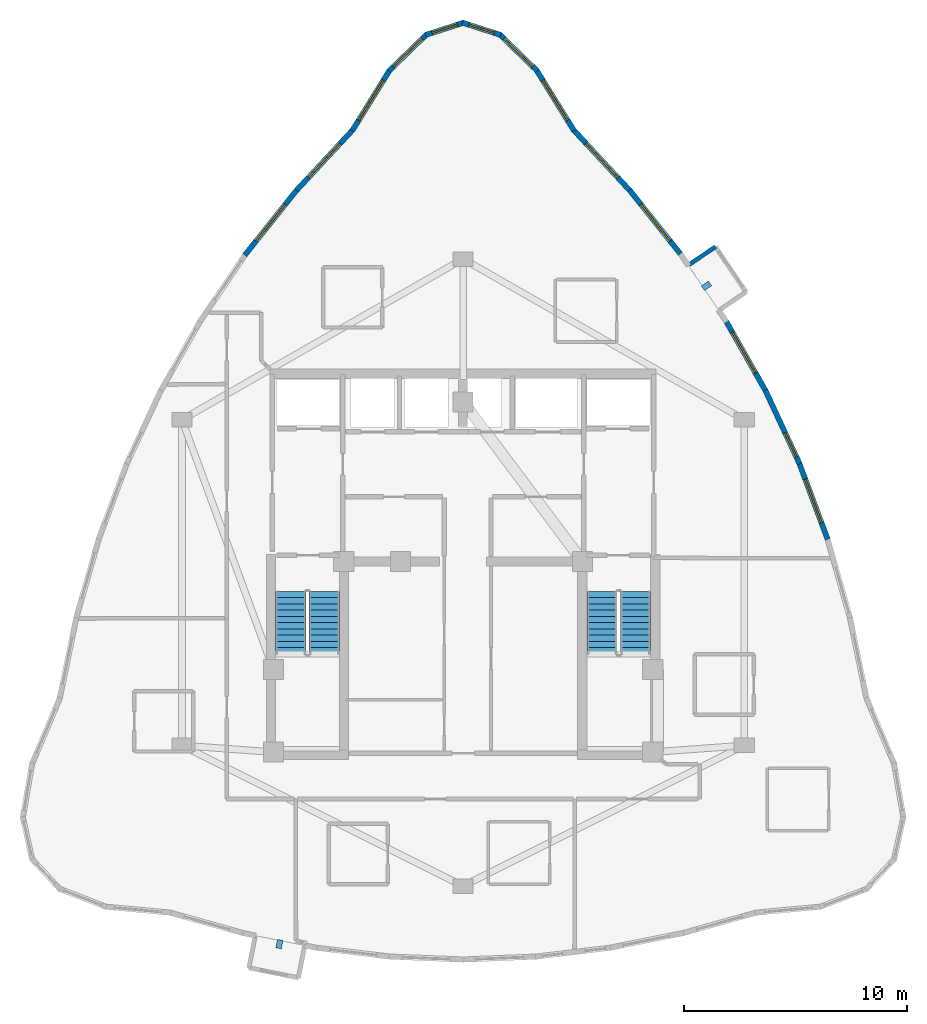
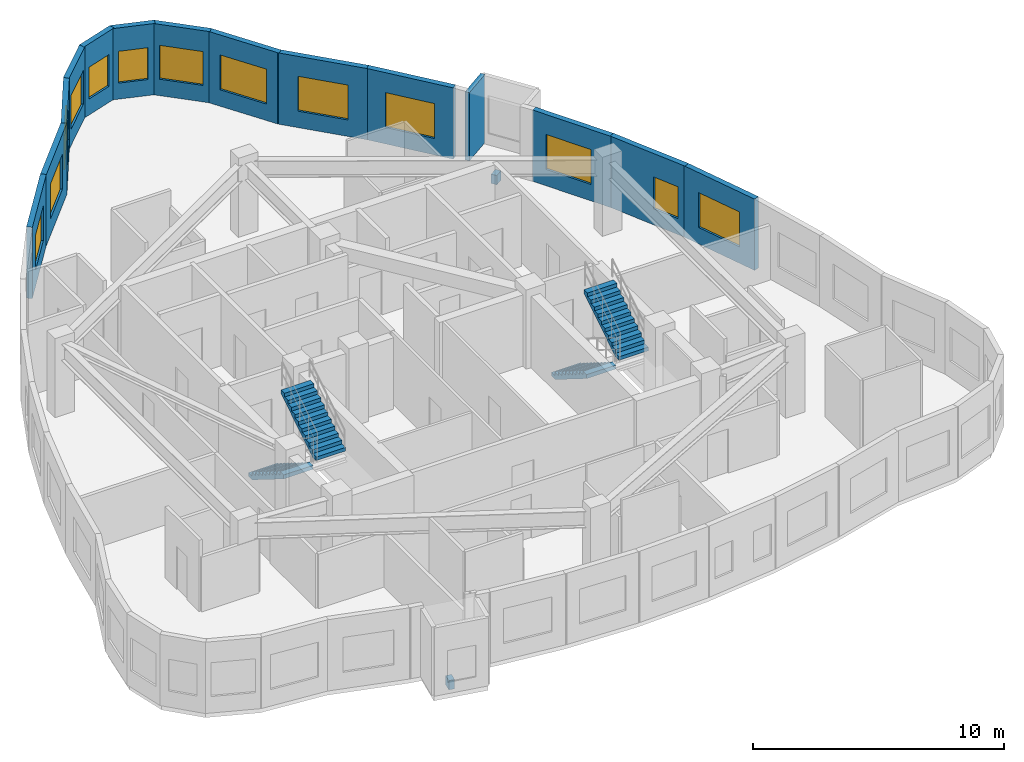
# One storey, part 9 of 10: 14 walls, 13 windows, 4 stair flights, 2 discrete accessories, 13 openings, 2 elements without a shape of their own.
"""IFC4 building model written with IfcOpenShell, lengths in metres."""

from ifc_helpers import new_model, si_unit, direction, frame, frame_2d, origin, origin_2d, place, context, subcontext, project, spatial, polyline, rectangle, outline, extrude, material, layer, layer_set, type_object, element, fill, aggregate, save


model = new_model("IFC4")

# Units and contexts
model_context = context("Model", 3, precision=1e-05, world=origin(), true_north=direction((0.0, 1.0)))
body_context = subcontext(model_context, "Body", "Model", "MODEL_VIEW")
ifc_project = project(units=[si_unit("LENGTHUNIT", "METRE"), si_unit("AREAUNIT", "SQUARE_METRE"), si_unit("VOLUMEUNIT", "CUBIC_METRE"), si_unit("PLANEANGLEUNIT", "RADIAN"), si_unit("MASSUNIT", "GRAM", prefix="KILO")], contexts=[model_context])

# Site, building, storey
site_placement = place(None, origin())
site = spatial("IfcSite", under=ifc_project, at=site_placement, CompositionType="ELEMENT")
building_placement = place(site_placement, origin())
building = spatial("IfcBuilding", under=site, at=building_placement, Name="Miruveldt Soraemaru", CompositionType="ELEMENT")
storey_placement = place(building_placement, frame((0.0, 0.0, 278.949951171875)))
storey = spatial("IfcBuildingStorey", under=building, at=storey_placement, Name="L76", CompositionType="ELEMENT", Elevation=278.949951171875)

# Wall
ifc_material_1 = material(Name="White powder-coated aluminium EN AW-6060 T6", Category="aluminium")
ifc_layer_1 = layer(ifc_material_1, 0.18994140625, Name="White powder-coated aluminium EN AW-6060 T6", Category="aluminium")
ifc_layer_set_1 = layer_set([ifc_layer_1], Name="White powder-coated aluminium EN AW-6060 T6")
wall_type_1 = type_object("IfcWallType", Name="WALL-BAY-ALU190", PredefinedType="SOLIDWALL", material=ifc_layer_set_1)
wall_1_placement = place(storey_placement, frame((55.3134765625, 58.1533203125, 0.0), z_axis=(0.0, 0.0, 1.0), x_axis=(-0.82794178844, -0.560814046681, 0.0)))
element("IfcWall", 1, at=wall_1_placement, inside=storey, type_object=wall_type_1, Name="L76 Bay Window Side Cheek 2R", PredefinedType="SOLIDWALL", context=body_context, shape_type="SweptSolid", body=[
    extrude(rectangle(XDim=1.4248046875, YDim=0.18994140625, at=frame_2d((0.71240234375, 0.0))), origin(), (0.0, 0.0, 1.0), 3.320068359375),
])

# Wall, opening, window
ifc_material_2 = material(Name="Precast concrete C45/55 (45 MPa)", Category="concrete")
ifc_layer_2 = layer(ifc_material_2, 0.239990234375, Name="Precast concrete C45/55 (45 MPa)", Category="concrete")
ifc_layer_set_2 = layer_set([ifc_layer_2], Name="Precast concrete C45/55 (45 MPa)")
wall_type_2 = type_object("IfcWallType", Name="WALL-EXT-PC240", PredefinedType="SOLIDWALL", material=ifc_layer_set_2)
wall_2_placement = place(storey_placement, frame((48.973388671875, 63.349853515625, 0.0), z_axis=(0.0, 0.0, 1.0), x_axis=(-0.526048210696, 0.850454748957, 0.0)))
wall_2 = element("IfcWall", 2, at=wall_2_placement, inside=storey, type_object=wall_type_2, Name="L76 Precast Concrete Facade Wall 1", PredefinedType="SOLIDWALL", context=body_context, shape_type="SweptSolid", body=[
    extrude(rectangle(XDim=3.209716796875, YDim=0.239990234375, at=frame_2d((1.60498046875, 0.0))), origin(), (0.0, 0.0, 1.0), 3.469970703125),
])
opening_1_placement = place(wall_2_placement, frame((0.554931640625, 0.0, 0.800048828125)))
opening_1 = element("IfcOpeningElement", 3, at=opening_1_placement, cuts=wall_2, Name="Opening WN-1", PredefinedType="OPENING", context=body_context, shape_type="SweptSolid", body=[
    extrude(rectangle(XDim=2.10009765625, YDim=1.699951171875, at=frame_2d((1.050048828125, 0.85009765625))), frame((0.0, 0.1298828125, 0.0), z_axis=(0.0, -1.0, 0.0), x_axis=(1.0, 0.0, 0.0)), (0.0, 0.0, 1.0), 0.260009765625),
])
ifc_material_3 = material(Name="Triple low-e insulated glazing", Category="glass")
window_type_1 = type_object("IfcWindowType", Name="WIN-PUNCH-2100x1700", PartitioningType="SINGLE_PANEL", PredefinedType="WINDOW", material=ifc_material_3)
window_1_placement = place(opening_1_placement, origin())
window_1 = element("IfcWindow", 4, at=window_1_placement, inside=storey, type_object=window_type_1, Name="L76 Punched Triple-Glazed Window 01.1", OverallHeight=1.699951171875, OverallWidth=2.10009765625, PartitioningType="SINGLE_PANEL", PredefinedType="WINDOW", context=body_context, shape_type="SweptSolid", body=[
    extrude(rectangle(XDim=2.10009765625, YDim=1.699951171875, at=frame_2d((1.050048828125, 0.85009765625))), frame((0.0, 0.030029296875, 0.0), z_axis=(0.0, -1.0, 0.0), x_axis=(1.0, 0.0, 0.0)), (0.0, 0.0, 1.0), 0.06005859375),
])
fill(opening_1, window_1)

wall_3_placement = place(storey_placement, frame((47.32861328125, 66.025390625, 0.0), z_axis=(0.0, 0.0, 1.0), x_axis=(-0.71778499005, 0.696264826096, 0.0)))
wall_3 = element("IfcWall", 5, at=wall_3_placement, inside=storey, type_object=wall_type_2, Name="L76 Precast Concrete Facade Wall 2", PredefinedType="SOLIDWALL", context=body_context, shape_type="SweptSolid", body=[
    extrude(rectangle(XDim=2.37109375, YDim=0.239990234375, at=frame_2d((1.185546875, 0.0))), origin(), (0.0, 0.0, 1.0), 3.469970703125),
])
opening_2_placement = place(wall_3_placement, frame((0.284912109375, 0.0, 0.800048828125)))
opening_2 = element("IfcOpeningElement", 6, at=opening_2_placement, cuts=wall_3, Name="Opening WN-2", PredefinedType="OPENING", context=body_context, shape_type="SweptSolid", body=[
    extrude(rectangle(XDim=1.800048828125, YDim=1.64990234375, at=frame_2d((0.89990234375, 0.824951171875))), frame((0.0, 0.1298828125, 0.0), z_axis=(0.0, -1.0, 0.0), x_axis=(1.0, 0.0, 0.0)), (0.0, 0.0, 1.0), 0.260009765625),
])
window_type_2 = type_object("IfcWindowType", Name="WIN-PUNCH-1800x1650", PartitioningType="SINGLE_PANEL", PredefinedType="WINDOW", material=ifc_material_3)
window_2_placement = place(opening_2_placement, origin())
window_2 = element("IfcWindow", 7, at=window_2_placement, inside=storey, type_object=window_type_2, Name="L76 Punched Triple-Glazed Window 02.1", OverallHeight=1.64990234375, OverallWidth=1.800048828125, PartitioningType="SINGLE_PANEL", PredefinedType="WINDOW", context=body_context, shape_type="SweptSolid", body=[
    extrude(rectangle(XDim=1.800048828125, YDim=1.64990234375, at=frame_2d((0.89990234375, 0.824951171875))), frame((0.0, 0.030029296875, 0.0), z_axis=(0.0, -1.0, 0.0), x_axis=(1.0, 0.0, 0.0)), (0.0, 0.0, 1.0), 0.06005859375),
])
fill(opening_2, window_2)

wall_4_placement = place(storey_placement, frame((45.68505859375, 67.64111328125, 0.0), z_axis=(0.0, 0.0, 1.0), x_axis=(-0.951523679018, 0.307575500109, 0.0)))
wall_4 = element("IfcWall", 8, at=wall_4_placement, inside=storey, type_object=wall_type_2, Name="L76 Precast Concrete Facade Wall 3", PredefinedType="SOLIDWALL", context=body_context, shape_type="SweptSolid", body=[
    extrude(rectangle(XDim=1.805908203125, YDim=0.239990234375, at=frame_2d((0.90283203125, 0.0))), origin(), (0.0, 0.0, 1.0), 3.469970703125),
])
opening_3_placement = place(wall_4_placement, frame((0.302978515625, 0.0, 0.780029296875)))
opening_3 = element("IfcOpeningElement", 9, at=opening_3_placement, cuts=wall_4, Name="Opening WN-4", PredefinedType="OPENING", context=body_context, shape_type="SweptSolid", body=[
    extrude(rectangle(XDim=1.199951171875, YDim=1.550048828125, at=frame_2d((0.60009765625, 0.77490234375))), frame((0.0, 0.1298828125, 0.0), z_axis=(0.0, -1.0, 0.0), x_axis=(1.0, 0.0, 0.0)), (0.0, 0.0, 1.0), 0.260009765625),
])
window_type_3 = type_object("IfcWindowType", Name="WIN-PUNCH-1200x1550", PartitioningType="SINGLE_PANEL", PredefinedType="WINDOW", material=ifc_material_3)
window_3_placement = place(opening_3_placement, origin())
window_3 = element("IfcWindow", 10, at=window_3_placement, inside=storey, type_object=window_type_3, Name="L76 Punched Triple-Glazed Window 03.1", OverallHeight=1.550048828125, OverallWidth=1.199951171875, PartitioningType="SINGLE_PANEL", PredefinedType="WINDOW", context=body_context, shape_type="SweptSolid", body=[
    extrude(rectangle(XDim=1.199951171875, YDim=1.550048828125, at=frame_2d((0.60009765625, 0.77490234375))), frame((0.0, 0.030029296875, 0.0), z_axis=(0.0, -1.0, 0.0), x_axis=(1.0, 0.0, 0.0)), (0.0, 0.0, 1.0), 0.06005859375),
])
fill(opening_3, window_3)

wall_5_placement = place(storey_placement, frame((44.033203125, 68.196533203125, 0.0), z_axis=(0.0, 0.0, 1.0), x_axis=(-0.951523679018, -0.307575500109, 0.0)))
wall_5 = element("IfcWall", 11, at=wall_5_placement, inside=storey, type_object=wall_type_2, Name="L76 Precast Concrete Facade Wall 4", PredefinedType="SOLIDWALL", context=body_context, shape_type="SweptSolid", body=[
    extrude(rectangle(XDim=1.805908203125, YDim=0.239990234375, at=frame_2d((0.90283203125, 0.0))), origin(), (0.0, 0.0, 1.0), 3.469970703125),
])
opening_4_placement = place(wall_5_placement, frame((0.302978515625, 0.0, 0.780029296875)))
opening_4 = element("IfcOpeningElement", 12, at=opening_4_placement, cuts=wall_5, Name="Opening WN-4", PredefinedType="OPENING", context=body_context, shape_type="SweptSolid", body=[
    extrude(rectangle(XDim=1.199951171875, YDim=1.550048828125, at=frame_2d((0.60009765625, 0.77490234375))), frame((0.0, 0.1298828125, 0.0), z_axis=(0.0, -1.0, 0.0), x_axis=(1.0, 0.0, 0.0)), (0.0, 0.0, 1.0), 0.260009765625),
])
window_4_placement = place(opening_4_placement, origin())
window_4 = element("IfcWindow", 13, at=window_4_placement, inside=storey, type_object=window_type_3, Name="L76 Punched Triple-Glazed Window 04.1", OverallHeight=1.550048828125, OverallWidth=1.199951171875, PartitioningType="SINGLE_PANEL", PredefinedType="WINDOW", context=body_context, shape_type="SweptSolid", body=[
    extrude(rectangle(XDim=1.199951171875, YDim=1.550048828125, at=frame_2d((0.60009765625, 0.77490234375))), frame((0.0, 0.030029296875, 0.0), z_axis=(0.0, -1.0, 0.0), x_axis=(1.0, 0.0, 0.0)), (0.0, 0.0, 1.0), 0.06005859375),
])
fill(opening_4, window_4)

wall_6_placement = place(storey_placement, frame((42.373291015625, 67.67626953125, 0.0), z_axis=(0.0, 0.0, 1.0), x_axis=(-0.71778499005, -0.696264826096, 0.0)))
wall_6 = element("IfcWall", 14, at=wall_6_placement, inside=storey, type_object=wall_type_2, Name="L76 Precast Concrete Facade Wall 5", PredefinedType="SOLIDWALL", context=body_context, shape_type="SweptSolid", body=[
    extrude(rectangle(XDim=2.37109375, YDim=0.239990234375, at=frame_2d((1.185546875, 0.0))), origin(), (0.0, 0.0, 1.0), 3.469970703125),
])
opening_5_placement = place(wall_6_placement, frame((0.284912109375, 0.0, 0.800048828125)))
opening_5 = element("IfcOpeningElement", 15, at=opening_5_placement, cuts=wall_6, Name="Opening WN-2", PredefinedType="OPENING", context=body_context, shape_type="SweptSolid", body=[
    extrude(rectangle(XDim=1.800048828125, YDim=1.64990234375, at=frame_2d((0.89990234375, 0.824951171875))), frame((0.0, 0.1298828125, 0.0), z_axis=(0.0, -1.0, 0.0), x_axis=(1.0, 0.0, 0.0)), (0.0, 0.0, 1.0), 0.260009765625),
])
window_5_placement = place(opening_5_placement, origin())
window_5 = element("IfcWindow", 16, at=window_5_placement, inside=storey, type_object=window_type_2, Name="L76 Punched Triple-Glazed Window 05.1", OverallHeight=1.64990234375, OverallWidth=1.800048828125, PartitioningType="SINGLE_PANEL", PredefinedType="WINDOW", context=body_context, shape_type="SweptSolid", body=[
    extrude(rectangle(XDim=1.800048828125, YDim=1.64990234375, at=frame_2d((0.89990234375, 0.824951171875))), frame((0.0, 0.030029296875, 0.0), z_axis=(0.0, -1.0, 0.0), x_axis=(1.0, 0.0, 0.0)), (0.0, 0.0, 1.0), 0.06005859375),
])
fill(opening_5, window_5)

wall_7_placement = place(storey_placement, frame((40.715087890625, 66.07958984375, 0.0), z_axis=(0.0, 0.0, 1.0), x_axis=(-0.526048210696, -0.850454748957, 0.0)))
wall_7 = element("IfcWall", 17, at=wall_7_placement, inside=storey, type_object=wall_type_2, Name="L76 Precast Concrete Facade Wall 6", PredefinedType="SOLIDWALL", context=body_context, shape_type="SweptSolid", body=[
    extrude(rectangle(XDim=3.209716796875, YDim=0.239990234375, at=frame_2d((1.60498046875, 0.0))), origin(), (0.0, 0.0, 1.0), 3.469970703125),
])
opening_6_placement = place(wall_7_placement, frame((0.554931640625, 0.0, 0.800048828125)))
opening_6 = element("IfcOpeningElement", 18, at=opening_6_placement, cuts=wall_7, Name="Opening WN-1", PredefinedType="OPENING", context=body_context, shape_type="SweptSolid", body=[
    extrude(rectangle(XDim=2.10009765625, YDim=1.699951171875, at=frame_2d((1.050048828125, 0.85009765625))), frame((0.0, 0.1298828125, 0.0), z_axis=(0.0, -1.0, 0.0), x_axis=(1.0, 0.0, 0.0)), (0.0, 0.0, 1.0), 0.260009765625),
])
window_6_placement = place(opening_6_placement, origin())
window_6 = element("IfcWindow", 19, at=window_6_placement, inside=storey, type_object=window_type_1, Name="L76 Punched Triple-Glazed Window 06.1", OverallHeight=1.699951171875, OverallWidth=2.10009765625, PartitioningType="SINGLE_PANEL", PredefinedType="WINDOW", context=body_context, shape_type="SweptSolid", body=[
    extrude(rectangle(XDim=2.10009765625, YDim=1.699951171875, at=frame_2d((1.050048828125, 0.85009765625))), frame((0.0, 0.030029296875, 0.0), z_axis=(0.0, -1.0, 0.0), x_axis=(1.0, 0.0, 0.0)), (0.0, 0.0, 1.0), 0.06005859375),
])
fill(opening_6, window_6)

wall_8_placement = place(storey_placement, frame((39.068603515625, 63.4052734375, 0.0), z_axis=(0.0, 0.0, 1.0), x_axis=(-0.680893417732, -0.732382518694, 0.0)))
wall_8 = element("IfcWall", 20, at=wall_8_placement, inside=storey, type_object=wall_type_2, Name="L76 Precast Concrete Facade Wall 7", PredefinedType="SOLIDWALL", context=body_context, shape_type="SweptSolid", body=[
    extrude(rectangle(XDim=3.78857421875, YDim=0.239990234375, at=frame_2d((1.894287109375, 0.0))), origin(), (0.0, 0.0, 1.0), 3.469970703125),
])
opening_7_placement = place(wall_8_placement, frame((0.844970703125, 0.0, 0.800048828125)))
opening_7 = element("IfcOpeningElement", 21, at=opening_7_placement, cuts=wall_8, Name="Opening WN-1", PredefinedType="OPENING", context=body_context, shape_type="SweptSolid", body=[
    extrude(rectangle(XDim=2.10009765625, YDim=1.699951171875, at=frame_2d((1.050048828125, 0.85009765625))), frame((0.0, 0.1298828125, 0.0), z_axis=(0.0, -1.0, 0.0), x_axis=(1.0, 0.0, 0.0)), (0.0, 0.0, 1.0), 0.260009765625),
])
window_7_placement = place(opening_7_placement, origin())
window_7 = element("IfcWindow", 22, at=window_7_placement, inside=storey, type_object=window_type_1, Name="L76 Punched Triple-Glazed Window 07.1", OverallHeight=1.699951171875, OverallWidth=2.10009765625, PartitioningType="SINGLE_PANEL", PredefinedType="WINDOW", context=body_context, shape_type="SweptSolid", body=[
    extrude(rectangle(XDim=2.10009765625, YDim=1.699951171875, at=frame_2d((1.050048828125, 0.85009765625))), frame((0.0, 0.030029296875, 0.0), z_axis=(0.0, -1.0, 0.0), x_axis=(1.0, 0.0, 0.0)), (0.0, 0.0, 1.0), 0.06005859375),
])
fill(opening_7, window_7)

wall_9_placement = place(storey_placement, frame((36.53466796875, 60.68359375, 0.0), z_axis=(0.0, 0.0, 1.0), x_axis=(-0.623558450604, -0.78177673199, 0.0)))
wall_9 = element("IfcWall", 23, at=wall_9_placement, inside=storey, type_object=wall_type_2, Name="L76 Precast Concrete Facade Wall 8", PredefinedType="SOLIDWALL", context=body_context, shape_type="SweptSolid", body=[
    extrude(rectangle(XDim=3.721923828125, YDim=0.239990234375, at=frame_2d((1.86083984375, 0.0))), origin(), (0.0, 0.0, 1.0), 3.469970703125),
])
opening_8_placement = place(wall_9_placement, frame((0.81103515625, 0.0, 0.800048828125)))
opening_8 = element("IfcOpeningElement", 24, at=opening_8_placement, cuts=wall_9, Name="Opening WN-1", PredefinedType="OPENING", context=body_context, shape_type="SweptSolid", body=[
    extrude(rectangle(XDim=2.10009765625, YDim=1.699951171875, at=frame_2d((1.050048828125, 0.85009765625))), frame((0.0, 0.1298828125, 0.0), z_axis=(0.0, -1.0, 0.0), x_axis=(1.0, 0.0, 0.0)), (0.0, 0.0, 1.0), 0.260009765625),
])
window_8_placement = place(opening_8_placement, origin())
window_8 = element("IfcWindow", 25, at=window_8_placement, inside=storey, type_object=window_type_1, Name="L76 Punched Triple-Glazed Window 08.1", OverallHeight=1.699951171875, OverallWidth=2.10009765625, PartitioningType="SINGLE_PANEL", PredefinedType="WINDOW", context=body_context, shape_type="SweptSolid", body=[
    extrude(rectangle(XDim=2.10009765625, YDim=1.699951171875, at=frame_2d((1.050048828125, 0.85009765625))), frame((0.0, 0.030029296875, 0.0), z_axis=(0.0, -1.0, 0.0), x_axis=(1.0, 0.0, 0.0)), (0.0, 0.0, 1.0), 0.06005859375),
])
fill(opening_8, window_8)

wall_10_placement = place(storey_placement, frame((60.339599609375, 45.037109375, 0.0), z_axis=(0.0, 0.0, 1.0), x_axis=(-0.349026698878, 0.93711278055, 0.0)))
wall_10 = element("IfcWall", 26, at=wall_10_placement, inside=storey, type_object=wall_type_2, Name="L76 Precast Concrete Facade Wall 37", PredefinedType="SOLIDWALL", context=body_context, shape_type="SweptSolid", body=[
    extrude(rectangle(XDim=3.676513671875, YDim=0.239990234375, at=frame_2d((1.83837890625, 0.0))), origin(), (0.0, 0.0, 1.0), 3.469970703125),
])
opening_9_placement = place(wall_10_placement, frame((0.7880859375, 0.0, 0.800048828125)))
opening_9 = element("IfcOpeningElement", 27, at=opening_9_placement, cuts=wall_10, Name="Opening WN-1", PredefinedType="OPENING", context=body_context, shape_type="SweptSolid", body=[
    extrude(rectangle(XDim=2.10009765625, YDim=1.699951171875, at=frame_2d((1.050048828125, 0.85009765625))), frame((0.0, 0.1298828125, 0.0), z_axis=(0.0, -1.0, 0.0), x_axis=(1.0, 0.0, 0.0)), (0.0, 0.0, 1.0), 0.260009765625),
])
window_9_placement = place(opening_9_placement, origin())
window_9 = element("IfcWindow", 28, at=window_9_placement, inside=storey, type_object=window_type_1, Name="L76 Punched Triple-Glazed Window 37.1", OverallHeight=1.699951171875, OverallWidth=2.10009765625, PartitioningType="SINGLE_PANEL", PredefinedType="WINDOW", context=body_context, shape_type="SweptSolid", body=[
    extrude(rectangle(XDim=2.10009765625, YDim=1.699951171875, at=frame_2d((1.050048828125, 0.85009765625))), frame((0.0, 0.030029296875, 0.0), z_axis=(0.0, -1.0, 0.0), x_axis=(1.0, 0.0, 0.0)), (0.0, 0.0, 1.0), 0.06005859375),
])
fill(opening_9, window_9)

wall_11_placement = place(storey_placement, frame((59.08349609375, 48.41796875, 0.0), z_axis=(0.0, 0.0, 1.0), x_axis=(-0.422373268801, 0.906421988812, 0.0)))
wall_11 = element("IfcWall", 29, at=wall_11_placement, inside=storey, type_object=wall_type_2, Name="L76 Precast Concrete Facade Wall 38", PredefinedType="SOLIDWALL", context=body_context, shape_type="SweptSolid", body=[
    extrude(rectangle(XDim=3.653564453125, YDim=0.239990234375, at=frame_2d((1.82666015625, 0.0))), origin(), (0.0, 0.0, 1.0), 3.469970703125),
])
opening_10_placement = place(wall_11_placement, frame((0.337890625, 0.0, 0.780029296875)))
opening_10 = element("IfcOpeningElement", 30, at=opening_10_placement, cuts=wall_11, Name="Opening WN-4", PredefinedType="OPENING", context=body_context, shape_type="SweptSolid", body=[
    extrude(rectangle(XDim=1.199951171875, YDim=1.550048828125, at=frame_2d((0.60009765625, 0.77490234375))), frame((0.0, 0.1298828125, 0.0), z_axis=(0.0, -1.0, 0.0), x_axis=(1.0, 0.0, 0.0)), (0.0, 0.0, 1.0), 0.260009765625),
])
window_10_placement = place(opening_10_placement, origin())
window_10 = element("IfcWindow", 31, at=window_10_placement, inside=storey, type_object=window_type_3, Name="L76 Punched Triple-Glazed Window 38.1", OverallHeight=1.550048828125, OverallWidth=1.199951171875, PartitioningType="SINGLE_PANEL", PredefinedType="WINDOW", context=body_context, shape_type="SweptSolid", body=[
    extrude(rectangle(XDim=1.199951171875, YDim=1.550048828125, at=frame_2d((0.60009765625, 0.77490234375))), frame((0.0, 0.030029296875, 0.0), z_axis=(0.0, -1.0, 0.0), x_axis=(1.0, 0.0, 0.0)), (0.0, 0.0, 1.0), 0.06005859375),
])
fill(opening_10, window_10)

wall_12_placement = place(storey_placement, frame((57.572509765625, 51.667724609375, 0.0), z_axis=(0.0, 0.0, 1.0), x_axis=(-0.493401980541, 0.869801405838, 0.0)))
wall_12 = element("IfcWall", 32, at=wall_12_placement, inside=storey, type_object=wall_type_2, Name="L76 Precast Concrete Facade Wall 39", PredefinedType="SOLIDWALL", context=body_context, shape_type="SweptSolid", body=[
    extrude(rectangle(XDim=3.653564453125, YDim=0.239990234375, at=frame_2d((1.82666015625, 0.0))), origin(), (0.0, 0.0, 1.0), 3.469970703125),
])
opening_11_placement = place(wall_12_placement, frame((0.950927734375, 0.0, 0.800048828125)))
opening_11 = element("IfcOpeningElement", 33, at=opening_11_placement, cuts=wall_12, Name="Opening WN-1", PredefinedType="OPENING", context=body_context, shape_type="SweptSolid", body=[
    extrude(rectangle(XDim=2.10009765625, YDim=1.699951171875, at=frame_2d((1.050048828125, 0.85009765625))), frame((0.0, 0.1298828125, 0.0), z_axis=(0.0, -1.0, 0.0), x_axis=(1.0, 0.0, 0.0)), (0.0, 0.0, 1.0), 0.260009765625),
])
window_11_placement = place(opening_11_placement, origin())
window_11 = element("IfcWindow", 34, at=window_11_placement, inside=storey, type_object=window_type_1, Name="L76 Punched Triple-Glazed Window 39.1", OverallHeight=1.699951171875, OverallWidth=2.10009765625, PartitioningType="SINGLE_PANEL", PredefinedType="WINDOW", context=body_context, shape_type="SweptSolid", body=[
    extrude(rectangle(XDim=2.10009765625, YDim=1.699951171875, at=frame_2d((1.050048828125, 0.85009765625))), frame((0.0, 0.030029296875, 0.0), z_axis=(0.0, -1.0, 0.0), x_axis=(1.0, 0.0, 0.0)), (0.0, 0.0, 1.0), 0.06005859375),
])
fill(opening_11, window_11)

wall_13_placement = place(storey_placement, frame((53.7861328125, 57.77392578125, 0.0), z_axis=(0.0, 0.0, 1.0), x_axis=(-0.623558450604, 0.78177673199, 0.0)))
wall_13 = element("IfcWall", 35, at=wall_13_placement, inside=storey, type_object=wall_type_2, Name="L76 Precast Concrete Facade Wall 41", PredefinedType="SOLIDWALL", context=body_context, shape_type="SweptSolid", body=[
    extrude(rectangle(XDim=3.721923828125, YDim=0.239990234375, at=frame_2d((1.86083984375, 0.0))), origin(), (0.0, 0.0, 1.0), 3.469970703125),
])
opening_12_placement = place(wall_13_placement, frame((0.81103515625, 0.0, 0.800048828125)))
opening_12 = element("IfcOpeningElement", 36, at=opening_12_placement, cuts=wall_13, Name="Opening WN-1", PredefinedType="OPENING", context=body_context, shape_type="SweptSolid", body=[
    extrude(rectangle(XDim=2.10009765625, YDim=1.699951171875, at=frame_2d((1.050048828125, 0.85009765625))), frame((0.0, 0.1298828125, 0.0), z_axis=(0.0, -1.0, 0.0), x_axis=(1.0, 0.0, 0.0)), (0.0, 0.0, 1.0), 0.260009765625),
])
window_12_placement = place(opening_12_placement, origin())
window_12 = element("IfcWindow", 37, at=window_12_placement, inside=storey, type_object=window_type_1, Name="L76 Punched Triple-Glazed Window 41.1", OverallHeight=1.699951171875, OverallWidth=2.10009765625, PartitioningType="SINGLE_PANEL", PredefinedType="WINDOW", context=body_context, shape_type="SweptSolid", body=[
    extrude(rectangle(XDim=2.10009765625, YDim=1.699951171875, at=frame_2d((1.050048828125, 0.85009765625))), frame((0.0, 0.030029296875, 0.0), z_axis=(0.0, -1.0, 0.0), x_axis=(1.0, 0.0, 0.0)), (0.0, 0.0, 1.0), 0.06005859375),
])
fill(opening_12, window_12)

wall_14_placement = place(storey_placement, frame((51.510986328125, 60.630615234375, 0.0), z_axis=(0.0, 0.0, 1.0), x_axis=(-0.680893417732, 0.732382518694, 0.0)))
wall_14 = element("IfcWall", 38, at=wall_14_placement, inside=storey, type_object=wall_type_2, Name="L76 Precast Concrete Facade Wall 42", PredefinedType="SOLIDWALL", context=body_context, shape_type="SweptSolid", body=[
    extrude(rectangle(XDim=3.78857421875, YDim=0.239990234375, at=frame_2d((1.894287109375, 0.0))), origin(), (0.0, 0.0, 1.0), 3.469970703125),
])
opening_13_placement = place(wall_14_placement, frame((0.844970703125, 0.0, 0.800048828125)))
opening_13 = element("IfcOpeningElement", 39, at=opening_13_placement, cuts=wall_14, Name="Opening WN-1", PredefinedType="OPENING", context=body_context, shape_type="SweptSolid", body=[
    extrude(rectangle(XDim=2.10009765625, YDim=1.699951171875, at=frame_2d((1.050048828125, 0.85009765625))), frame((0.0, 0.1298828125, 0.0), z_axis=(0.0, -1.0, 0.0), x_axis=(1.0, 0.0, 0.0)), (0.0, 0.0, 1.0), 0.260009765625),
])
window_13_placement = place(opening_13_placement, origin())
window_13 = element("IfcWindow", 40, at=window_13_placement, inside=storey, type_object=window_type_1, Name="L76 Punched Triple-Glazed Window 42.1", OverallHeight=1.699951171875, OverallWidth=2.10009765625, PartitioningType="SINGLE_PANEL", PredefinedType="WINDOW", context=body_context, shape_type="SweptSolid", body=[
    extrude(rectangle(XDim=2.10009765625, YDim=1.699951171875, at=frame_2d((1.050048828125, 0.85009765625))), frame((0.0, 0.030029296875, 0.0), z_axis=(0.0, -1.0, 0.0), x_axis=(1.0, 0.0, 0.0)), (0.0, 0.0, 1.0), 0.06005859375),
])
fill(opening_13, window_13)

# Stair, stair flights
ifc_material_4 = material(Name="Concrete C40/50 (40 MPa)", Category="concrete")
stair_type = type_object("IfcStairType", Name="STAIR-DL-385", PredefinedType="HALF_TURN_STAIR", material=ifc_material_4)
stair_1_placement = place(storey_placement, origin())
stair_1 = element("IfcStair", 41, at=stair_1_placement, inside=storey, type_object=stair_type, Name="L76 Protected Exit Stair ST-1", PredefinedType="HALF_TURN_STAIR")
stair_flight_type = type_object("IfcStairFlightType", Name="SFL-DL-385", PredefinedType="STRAIGHT", material=ifc_material_4)
stair_flight_1_placement = place(storey_placement, frame((36.27490234375, 42.699951171875, 0.0), z_axis=(0.0, 0.0, 1.0), x_axis=(0.0, -1.0, 0.0)))
stair_flight_1 = element("IfcStairFlight", 42, at=stair_flight_1_placement, type_object=stair_flight_type, Name="ST-1 flight 1", NumberOfRisers=11, NumberOfTreads=10, PredefinedType="STRAIGHT", RiserHeight=0.175, TreadLength=0.28, context=body_context, shape_type="SweptSolid", body=[
    extrude(outline(polyline([(0.0, 0.0), (0.0, 0.175048828125), (0.280029296875, 0.175048828125), (0.280029296875, 0.35009765625), (0.56005859375, 0.35009765625), (0.56005859375, 0.52490234375), (0.840087890625, 0.52490234375), (0.840087890625, 0.699951171875), (1.1201171875, 0.699951171875), (1.1201171875, 0.875), (1.39990234375, 0.875), (1.39990234375, 1.050048828125), (1.679931640625, 1.050048828125), (1.679931640625, 1.22509765625), (1.9599609375, 1.22509765625), (1.9599609375, 1.39990234375), (2.239990234375, 1.39990234375), (2.239990234375, 1.574951171875), (2.52001953125, 1.574951171875), (2.52001953125, 1.75), (2.800048828125, 1.75), (2.800048828125, 1.925048828125), (2.800048828125, 1.5615234375), (0.3017578125, 0.0), (0.0, 0.0)])), frame((0.0, 0.675048828125, 0.0), z_axis=(0.0, -1.0, 0.0), x_axis=(1.0, 0.0, 0.0)), (0.0, 0.0, 1.0), 1.35009765625),
])
stair_flight_2_placement = place(storey_placement, frame((37.77490234375, 39.89990234375, 1.925048828125), z_axis=(0.0, 0.0, 1.0), x_axis=(0.0, 1.0, 0.0)))
stair_flight_2 = element("IfcStairFlight", 43, at=stair_flight_2_placement, type_object=stair_flight_type, Name="ST-1 flight 2", NumberOfRisers=11, NumberOfTreads=10, PredefinedType="STRAIGHT", RiserHeight=0.175, TreadLength=0.28, context=body_context, shape_type="SweptSolid", body=[
    extrude(outline(polyline([(0.0, 0.0), (0.0, 0.175048828125), (0.280029296875, 0.175048828125), (0.280029296875, 0.35009765625), (0.56005859375, 0.35009765625), (0.56005859375, 0.52490234375), (0.840087890625, 0.52490234375), (0.840087890625, 0.699951171875), (1.1201171875, 0.699951171875), (1.1201171875, 0.875), (1.39990234375, 0.875), (1.39990234375, 1.050048828125), (1.679931640625, 1.050048828125), (1.679931640625, 1.22509765625), (1.9599609375, 1.22509765625), (1.9599609375, 1.39990234375), (2.239990234375, 1.39990234375), (2.239990234375, 1.574951171875), (2.52001953125, 1.574951171875), (2.52001953125, 1.75), (2.800048828125, 1.75), (2.800048828125, 1.925048828125), (2.800048828125, 1.5615234375), (0.3017578125, 0.0), (0.0, 0.0)])), frame((0.0, 0.675048828125, 0.0), z_axis=(0.0, -1.0, 0.0), x_axis=(1.0, 0.0, 0.0)), (0.0, 0.0, 1.0), 1.35009765625),
])
aggregate(stair_1, [stair_flight_1, stair_flight_2])

stair_2_placement = place(storey_placement, origin())
stair_2 = element("IfcStair", 44, at=stair_2_placement, inside=storey, type_object=stair_type, Name="L76 Protected Exit Stair ST-2", PredefinedType="HALF_TURN_STAIR")
stair_flight_3_placement = place(storey_placement, frame((50.22509765625, 42.699951171875, 0.0), z_axis=(0.0, 0.0, 1.0), x_axis=(0.0, -1.0, 0.0)))
stair_flight_3 = element("IfcStairFlight", 45, at=stair_flight_3_placement, type_object=stair_flight_type, Name="ST-2 flight 1", NumberOfRisers=11, NumberOfTreads=10, PredefinedType="STRAIGHT", RiserHeight=0.175, TreadLength=0.28, context=body_context, shape_type="SweptSolid", body=[
    extrude(outline(polyline([(0.0, 0.0), (0.0, 0.175048828125), (0.280029296875, 0.175048828125), (0.280029296875, 0.35009765625), (0.56005859375, 0.35009765625), (0.56005859375, 0.52490234375), (0.840087890625, 0.52490234375), (0.840087890625, 0.699951171875), (1.1201171875, 0.699951171875), (1.1201171875, 0.875), (1.39990234375, 0.875), (1.39990234375, 1.050048828125), (1.679931640625, 1.050048828125), (1.679931640625, 1.22509765625), (1.9599609375, 1.22509765625), (1.9599609375, 1.39990234375), (2.239990234375, 1.39990234375), (2.239990234375, 1.574951171875), (2.52001953125, 1.574951171875), (2.52001953125, 1.75), (2.800048828125, 1.75), (2.800048828125, 1.925048828125), (2.800048828125, 1.5615234375), (0.3017578125, 0.0), (0.0, 0.0)])), frame((0.0, 0.675048828125, 0.0), z_axis=(0.0, -1.0, 0.0), x_axis=(1.0, 0.0, 0.0)), (0.0, 0.0, 1.0), 1.35009765625),
])
stair_flight_4_placement = place(storey_placement, frame((51.72509765625, 39.89990234375, 1.925048828125), z_axis=(0.0, 0.0, 1.0), x_axis=(0.0, 1.0, 0.0)))
stair_flight_4 = element("IfcStairFlight", 46, at=stair_flight_4_placement, type_object=stair_flight_type, Name="ST-2 flight 2", NumberOfRisers=11, NumberOfTreads=10, PredefinedType="STRAIGHT", RiserHeight=0.175, TreadLength=0.28, context=body_context, shape_type="SweptSolid", body=[
    extrude(outline(polyline([(0.0, 0.0), (0.0, 0.175048828125), (0.280029296875, 0.175048828125), (0.280029296875, 0.35009765625), (0.56005859375, 0.35009765625), (0.56005859375, 0.52490234375), (0.840087890625, 0.52490234375), (0.840087890625, 0.699951171875), (1.1201171875, 0.699951171875), (1.1201171875, 0.875), (1.39990234375, 0.875), (1.39990234375, 1.050048828125), (1.679931640625, 1.050048828125), (1.679931640625, 1.22509765625), (1.9599609375, 1.22509765625), (1.9599609375, 1.39990234375), (2.239990234375, 1.39990234375), (2.239990234375, 1.574951171875), (2.52001953125, 1.574951171875), (2.52001953125, 1.75), (2.800048828125, 1.75), (2.800048828125, 1.925048828125), (2.800048828125, 1.5615234375), (0.3017578125, 0.0), (0.0, 0.0)])), frame((0.0, 0.675048828125, 0.0), z_axis=(0.0, -1.0, 0.0), x_axis=(1.0, 0.0, 0.0)), (0.0, 0.0, 1.0), 1.35009765625),
])
aggregate(stair_2, [stair_flight_3, stair_flight_4])

# Discrete accessories
ifc_material_5 = material(Name="Steel SM355 (355 MPa)", Category="steel")
discrete_accessory_type = type_object("IfcDiscreteAccessoryType", Name="ACC-BAY-BRK", PredefinedType="BRACKET", material=ifc_material_5)
for number, where, z_axis, x_axis, name in (
    (47, (35.764892578125, 26.900146484375, -0.72998046875), (0.0, 0.0, 1.0), (-0.196117290802, -0.980580444557, 0.0), "L76 Bay Window Cantilever Bracket 1"),
    (48, (54.908203125, 56.398193359375, -0.72998046875), (0.0, 0.0, 1.0), (0.827923319955, 0.560841311134, 0.0), "L76 Bay Window Cantilever Bracket 2"),
):
    element("IfcDiscreteAccessory", number, at=place(storey_placement, frame(where, z_axis=z_axis, x_axis=x_axis)), inside=storey, type_object=discrete_accessory_type, Name=name, PredefinedType="BRACKET", context=body_context, shape_type="SweptSolid", body=[
        extrude(rectangle(XDim=0.3798828125, YDim=0.25, at=origin_2d()), origin(), (0.0, 0.0, 1.0), 0.449951171875),
    ])

save(model, "model.ifc")
